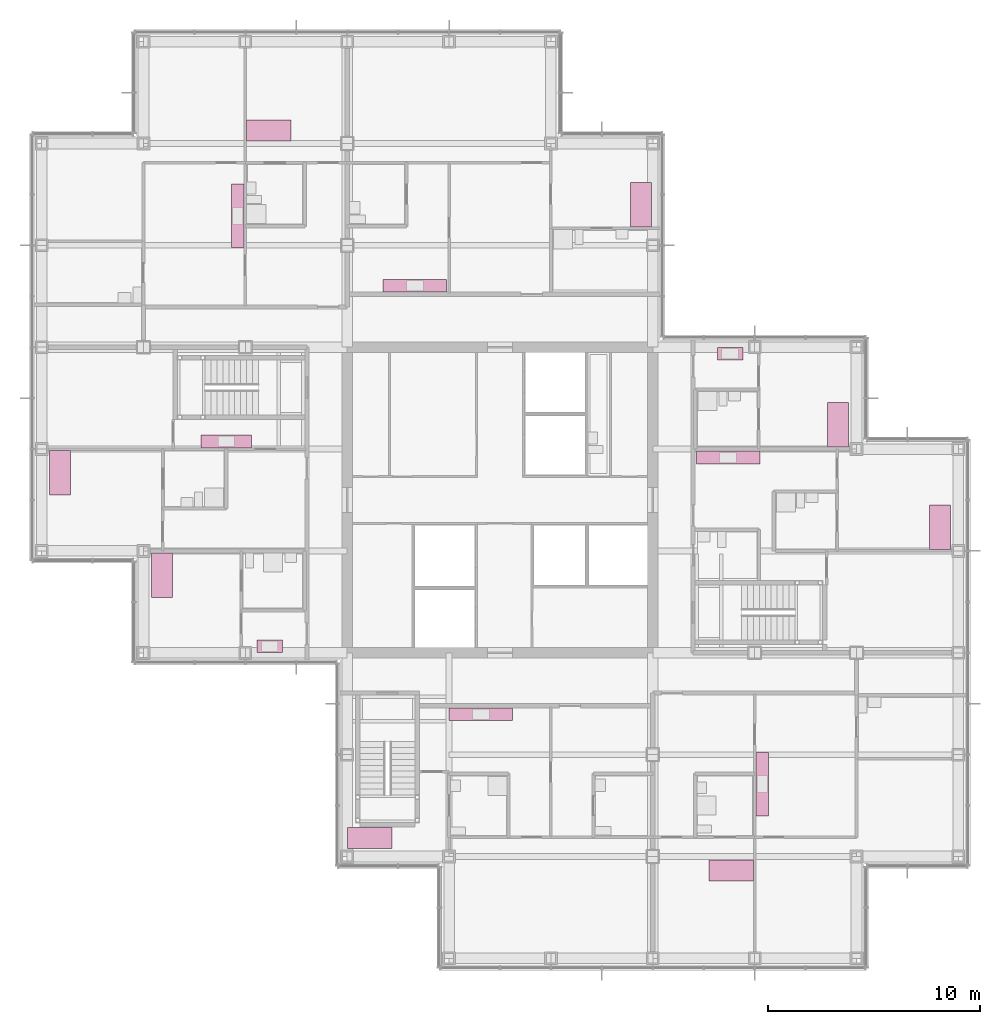
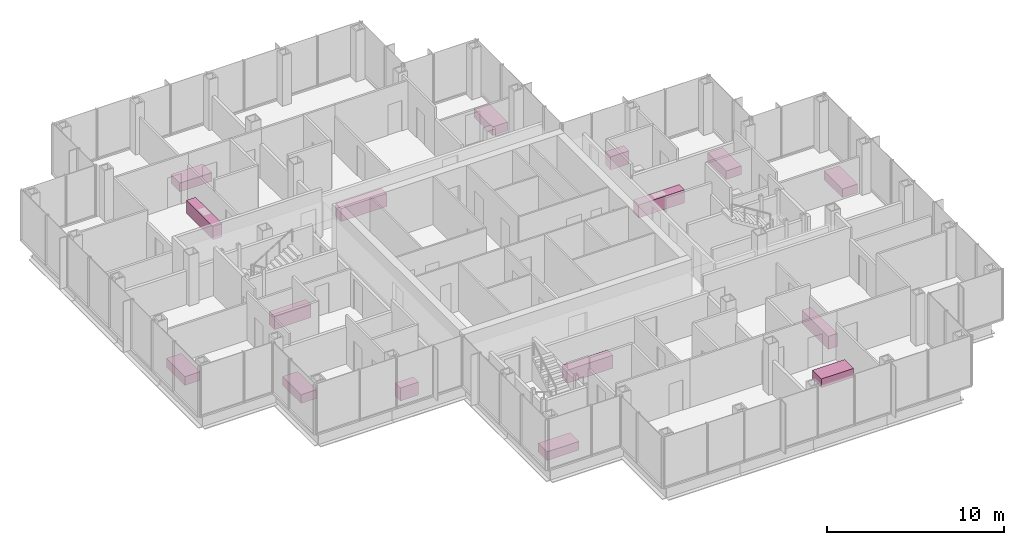
# One storey, part 20 of 20: 16 furniture elements.
"""IFC4 building model written with IfcOpenShell, lengths in metres."""

from ifc_helpers import new_model, si_unit, direction, frame, origin, origin_2d, place, context, subcontext, project, spatial, rectangle, extrude, material, type_object, element, save


model = new_model("IFC4")

# Units and contexts
model_context = context("Model", 3, precision=1e-05, world=origin(), true_north=direction((0.0, 1.0)))
body_context = subcontext(model_context, "Body", "Model", "MODEL_VIEW")
ifc_project = project(units=[si_unit("LENGTHUNIT", "METRE"), si_unit("AREAUNIT", "SQUARE_METRE"), si_unit("VOLUMEUNIT", "CUBIC_METRE"), si_unit("PLANEANGLEUNIT", "RADIAN"), si_unit("MASSUNIT", "GRAM", prefix="KILO")], contexts=[model_context])

# Site, building, storey
site_placement = place(None, origin())
site = spatial("IfcSite", under=ifc_project, at=site_placement, CompositionType="ELEMENT")
building_placement = place(site_placement, origin())
building = spatial("IfcBuilding", under=site, at=building_placement, Name="Kvirike Care Tower", CompositionType="ELEMENT")
storey_placement = place(building_placement, frame((0.0, 0.0, 126.0)))
storey = spatial("IfcBuildingStorey", under=building, at=storey_placement, Name="L34", CompositionType="ELEMENT", Elevation=126.0)

# Furniture
ifc_material_1 = material(Name="Steel frame", Category="steel")
furniture_type_1 = type_object("IfcFurnitureType", Name="CARE BED 1000 x 2100", AssemblyPlace="FACTORY", PredefinedType="BED", material=ifc_material_1)
for number, where, z_axis, x_axis, name in (
    (1, (0.8701171875, 37.2880859375, 0.0), (0.0, 0.0, 1.0), (1.0, 0.0, 0.0), "Care bed L34-004"),
    (2, (5.669921875, 32.447998046875, 0.0), (0.0, 0.0, 1.0), (1.0, 0.0, 0.0), "Care bed L34-008"),
    (3, (10.7119140625, 53.409912109375, 0.0), (0.0, 0.0, 1.0), (0.0, 1.0, 0.0), "Care bed L34-012"),
    (4, (15.451904296875, 20.070068359375, 0.0), (0.0, 0.0, 1.0), (0.0, 1.0, 0.0), "Care bed L34-020"),
    (5, (28.25, 49.912109375, 0.0), (0.0, 0.0, 1.0), (-1.0, 0.0, 0.0), "Care bed L34-027"),
    (6, (32.488037109375, 18.5400390625, 0.0), (0.0, 0.0, 1.0), (0.0, -1.0, 0.0), "Care bed L34-034"),
    (7, (42.330078125, 34.7119140625, 0.0), (0.0, 0.0, 1.0), (-1.0, 0.0, 0.0), "Care bed L34-043"),
    (8, (37.530029296875, 39.552001953125, 0.0), (0.0, 0.0, 1.0), (-1.0, 0.0, 0.0), "Care bed L34-047"),
):
    element("IfcFurniture", number, at=place(storey_placement, frame(where, z_axis=z_axis, x_axis=x_axis)), inside=storey, type_object=furniture_type_1, Name=name, PredefinedType="BED", context=body_context, shape_type="SweptSolid", body=[
        extrude(rectangle(XDim=1.0, YDim=2.10009765625, at=origin_2d()), origin(), (0.0, 0.0, 1.0), 0.60009765625),
    ])
ifc_material_2 = material(Name="Laminated board", Category="wood")
furniture_type_2 = type_object("IfcFurnitureType", Name="KITCHEN UNIT RUN 600", AssemblyPlace="FACTORY", PredefinedType="USERDEFINED", material=ifc_material_2)
furniture_1_placement = place(storey_placement, frame((8.699951171875, 38.761962890625, 0.0), z_axis=(0.0, 0.0, 1.0), x_axis=(-1.0, 0.0, 0.0)))
element("IfcFurniture", 9, at=furniture_1_placement, inside=storey, type_object=furniture_type_2, Name="Kitchen unit run L34-006", ObjectType="KITCHEN UNIT", PredefinedType="USERDEFINED", context=body_context, shape_type="SweptSolid", body=[
    extrude(rectangle(XDim=2.39990234375, YDim=0.60009765625, at=origin_2d()), origin(), (0.0, 0.0, 1.0), 0.89990234375),
])
furniture_2_placement = place(storey_placement, frame((10.75, 29.10205078125, 0.0), z_axis=(0.0, 0.0, 1.0), x_axis=(-1.0, 0.0, 0.0)))
element("IfcFurniture", 10, at=furniture_2_placement, inside=storey, type_object=furniture_type_2, Name="Kitchen unit run L34-010", ObjectType="KITCHEN UNIT", PredefinedType="USERDEFINED", context=body_context, shape_type="SweptSolid", body=[
    extrude(rectangle(XDim=1.199951171875, YDim=0.60009765625, at=origin_2d()), origin(), (0.0, 0.0, 1.0), 0.89990234375),
])
for number, where, z_axis, x_axis, name in (
    (11, (9.238037109375, 49.389892578125, 0.0), (0.0, 0.0, 1.0), (0.0, -1.0, 0.0), "Kitchen unit run L34-017"),
    (12, (20.699951171875, 25.89794921875, 0.0), (0.0, 0.0, 1.0), (1.0, 0.0, 0.0), "Kitchen unit run L34-024"),
    (13, (17.590087890625, 46.10205078125, 0.0), (0.0, 0.0, 1.0), (-1.0, 0.0, 0.0), "Kitchen unit run L34-032"),
    (14, (33.9619140625, 22.610107421875, 0.0), (0.0, 0.0, 1.0), (0.0, 1.0, 0.0), "Kitchen unit run L34-039"),
    (15, (32.35009765625, 37.998046875, 0.0), (0.0, 0.0, 1.0), (1.0, 0.0, 0.0), "Kitchen unit run L34-046"),
):
    element("IfcFurniture", number, at=place(storey_placement, frame(where, z_axis=z_axis, x_axis=x_axis)), inside=storey, type_object=furniture_type_2, Name=name, ObjectType="KITCHEN UNIT", PredefinedType="USERDEFINED", context=body_context, shape_type="SweptSolid", body=[
        extrude(rectangle(XDim=3.0, YDim=0.60009765625, at=origin_2d()), origin(), (0.0, 0.0, 1.0), 0.89990234375),
    ])
furniture_3_placement = place(storey_placement, frame((32.449951171875, 42.89794921875, 0.0), z_axis=(0.0, 0.0, 1.0), x_axis=(1.0, 0.0, 0.0)))
element("IfcFurniture", 16, at=furniture_3_placement, inside=storey, type_object=furniture_type_2, Name="Kitchen unit run L34-049", ObjectType="KITCHEN UNIT", PredefinedType="USERDEFINED", context=body_context, shape_type="SweptSolid", body=[
    extrude(rectangle(XDim=1.199951171875, YDim=0.60009765625, at=origin_2d()), origin(), (0.0, 0.0, 1.0), 0.89990234375),
])

save(model, "model.ifc")
